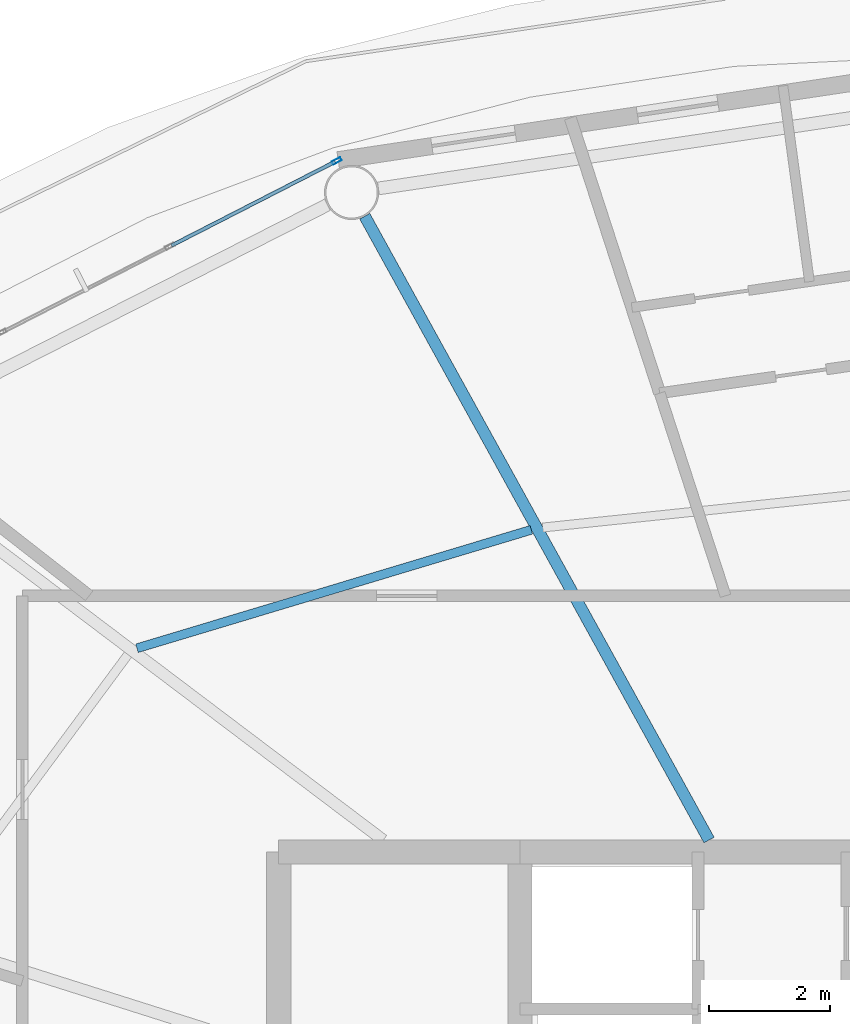
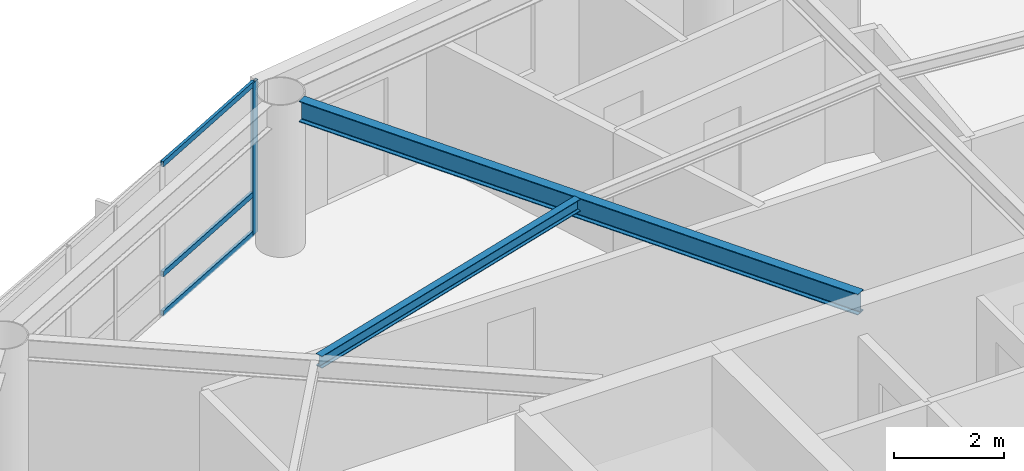
# One storey, part 9 of 23: 4 members, 2 beams, 1 element without a shape of its own.
"""IFC4 building model written with IfcOpenShell, lengths in metres."""

from ifc_helpers import new_model, si_unit, direction, frame, origin, origin_2d, place, context, subcontext, project, spatial, hollow_rectangle, i_section, extrude, material, layer, layer_set, material_profile, profile_set, type_object, element, aggregate, save


model = new_model("IFC4")

# Units and contexts
model_context = context("Model", 3, precision=1e-05, world=origin(), true_north=direction((0.0, 1.0)))
body_context = subcontext(model_context, "Body", "Model", "MODEL_VIEW")
ifc_project = project(units=[si_unit("LENGTHUNIT", "METRE"), si_unit("AREAUNIT", "SQUARE_METRE"), si_unit("VOLUMEUNIT", "CUBIC_METRE"), si_unit("PLANEANGLEUNIT", "RADIAN"), si_unit("MASSUNIT", "GRAM", prefix="KILO")], contexts=[model_context])

# Site, building, storey
site_placement = place(None, origin())
site = spatial("IfcSite", under=ifc_project, at=site_placement, CompositionType="ELEMENT")
building_placement = place(site_placement, origin())
building = spatial("IfcBuilding", under=site, at=building_placement, Name="Sarneth Arch Tower", CompositionType="ELEMENT")
storey_placement = place(building_placement, frame((0.0, 0.0, 220.800048828125)))
storey = spatial("IfcBuildingStorey", under=building, at=storey_placement, Name="L56", CompositionType="ELEMENT", Elevation=220.800048828125)

# Beams
ifc_material_1 = material(Name="Steel S355", Category="steel")
ifc_material_profile_1 = material_profile(ifc_material_1, i_section(OverallWidth=0.14794921875, OverallDepth=0.26611328125, WebThickness=0.007568359375, FlangeThickness=0.012939453125, FilletRadius=0.012939453125, at=origin_2d()), Name="W250x44.8")
ifc_profile_set_1 = profile_set([ifc_material_profile_1], Name="Steel S355")
beam_type_1 = type_object("IfcBeamType", Name="BM-JOIST-250", PredefinedType="JOIST", material=ifc_profile_set_1)
beam_1_placement = place(storey_placement, frame((41.189453125, 54.14453125, 3.22705078125), z_axis=(-0.957725851155, -0.287682453461, 0.0), x_axis=(0.287682453461, -0.957725851155, 0.0)))
element("IfcBeam", 1, at=beam_1_placement, inside=storey, type_object=beam_type_1, Name="L56 Secondary floor joist 06", PredefinedType="JOIST", context=body_context, shape_type="SweptSolid", body=[
    extrude(i_section(OverallWidth=0.14794921875, OverallDepth=0.26611328125, WebThickness=0.007568359375, FlangeThickness=0.012939453125, FilletRadius=0.012939453125, at=origin_2d()), origin(), (0.0, 0.0, 1.0), 6.828125),
])
ifc_material_2 = material(Name="Steel S355", Category="steel")
ifc_material_profile_2 = material_profile(ifc_material_2, i_section(OverallWidth=0.19189453125, OverallDepth=0.462890625, WebThickness=0.010498046875, FlangeThickness=0.017578125, FilletRadius=0.01806640625, at=origin_2d()), Name="W460x89")
ifc_profile_set_2 = profile_set([ifc_material_profile_2], Name="Steel S355")
beam_type_2 = type_object("IfcBeamType", Name="BM-RAD-460B", PredefinedType="BEAM", material=ifc_profile_set_2)
beam_2_placement = place(storey_placement, frame((44.13623046875, 49.0, 3.12841796875), z_axis=(-0.483218265038, 0.875499919094, 0.0), x_axis=(-0.875499919094, -0.483218265038, 0.0)))
element("IfcBeam", 2, at=beam_2_placement, inside=storey, type_object=beam_type_2, Name="L56 Radial floor girder 06", PredefinedType="BEAM", context=body_context, shape_type="SweptSolid", body=[
    extrude(i_section(OverallWidth=0.19189453125, OverallDepth=0.462890625, WebThickness=0.010498046875, FlangeThickness=0.017578125, FilletRadius=0.01806640625, at=origin_2d()), origin(), (0.0, 0.0, 1.0), 11.8154296875),
])

# Curtain wall, members
ifc_material_3 = material(Name="Anodised aluminium Type AA25 and solar-control low-e laminated IGU", Category="aluminium")
ifc_layer = layer(ifc_material_3, 0.179931640625)
ifc_layer_set = layer_set([ifc_layer], Name="Anodised aluminium Type AA25 and solar-control low-e laminated IGU")
curtain_wall_type = type_object("IfcCurtainWallType", Name="CW-RES-HIGH", PredefinedType="NOTDEFINED", material=ifc_layer_set)
curtain_wall_placement = place(storey_placement, origin())
curtain_wall = element("IfcCurtainWall", 3, at=curtain_wall_placement, inside=storey, type_object=curtain_wall_type, Name="L56 Unitised curtain wall facet 06", PredefinedType="NOTDEFINED")
ifc_material_4 = material(Name="Anodised Aluminium 6063-T6", Category="aluminium")
ifc_material_profile_3 = material_profile(ifc_material_4, hollow_rectangle(XDim=0.06005859375, YDim=0.159912109375, WallThickness=0.00390625, at=origin_2d()), Name="AL-MULL-160x60x4")
ifc_profile_set_3 = profile_set([ifc_material_profile_3], Name="Anodised Aluminium 6063-T6")
member_type_1 = type_object("IfcMemberType", Name="CW-MULLION", PredefinedType="MULLION", material=ifc_profile_set_3)
member_1_placement = place(storey_placement, frame((37.960693359375, 60.2607421875, 0.0), z_axis=(0.0, 0.0, 1.0), x_axis=(0.455941901753, -0.890009540525, 0.0)))
member_1 = element("IfcMember", 4, at=member_1_placement, type_object=member_type_1, Name="CW-SYS-6 mullion 1", PredefinedType="MULLION", context=body_context, shape_type="SweptSolid", body=[
    extrude(hollow_rectangle(XDim=0.06005859375, YDim=0.159912109375, WallThickness=0.00390625, at=origin_2d()), origin(), (0.0, 0.0, 1.0), 3.35986328125),
])
ifc_material_5 = material(Name="Anodised Aluminium 6063-T6", Category="aluminium")
ifc_material_profile_4 = material_profile(ifc_material_5, hollow_rectangle(XDim=0.06005859375, YDim=0.1201171875, WallThickness=0.00390625, at=origin_2d()), Name="AL-TRAN-120x60x4")
ifc_profile_set_4 = profile_set([ifc_material_profile_4], Name="Anodised Aluminium 6063-T6")
member_type_2 = type_object("IfcMemberType", Name="CW-TRANSOM", PredefinedType="USERDEFINED", material=ifc_profile_set_4)
member_2_placement = place(storey_placement, frame((37.933837890625, 60.2470703125, 0.030029296875), z_axis=(-0.889973523166, -0.456012201662, 0.0), x_axis=(0.456012201662, -0.889973523166, 0.0)))
member_2 = element("IfcMember", 5, at=member_2_placement, type_object=member_type_2, Name="CW-SYS-6 transom 1.1", ObjectType="TRANSOM", PredefinedType="USERDEFINED", context=body_context, shape_type="SweptSolid", body=[
    extrude(hollow_rectangle(XDim=0.06005859375, YDim=0.1201171875, WallThickness=0.00390625, at=origin_2d()), origin(), (0.0, 0.0, 1.0), 3.044677734375),
])
member_3_placement = place(storey_placement, frame((37.933837890625, 60.2470703125, 0.89990234375), z_axis=(-0.889973523166, -0.456012201662, 0.0), x_axis=(0.456012201662, -0.889973523166, 0.0)))
member_3 = element("IfcMember", 6, at=member_3_placement, type_object=member_type_2, Name="CW-SYS-6 transom 1.2", ObjectType="TRANSOM", PredefinedType="USERDEFINED", context=body_context, shape_type="SweptSolid", body=[
    extrude(hollow_rectangle(XDim=0.06005859375, YDim=0.1201171875, WallThickness=0.00390625, at=origin_2d()), origin(), (0.0, 0.0, 1.0), 3.044677734375),
])
member_4_placement = place(storey_placement, frame((37.933837890625, 60.2470703125, 3.329833984375), z_axis=(-0.889973523166, -0.456012201662, 0.0), x_axis=(0.456012201662, -0.889973523166, 0.0)))
member_4 = element("IfcMember", 7, at=member_4_placement, type_object=member_type_2, Name="CW-SYS-6 transom 1.3", ObjectType="TRANSOM", PredefinedType="USERDEFINED", context=body_context, shape_type="SweptSolid", body=[
    extrude(hollow_rectangle(XDim=0.06005859375, YDim=0.1201171875, WallThickness=0.00390625, at=origin_2d()), origin(), (0.0, 0.0, 1.0), 3.044677734375),
])
aggregate(curtain_wall, [member_1, member_2, member_3, member_4])

save(model, "model.ifc")
